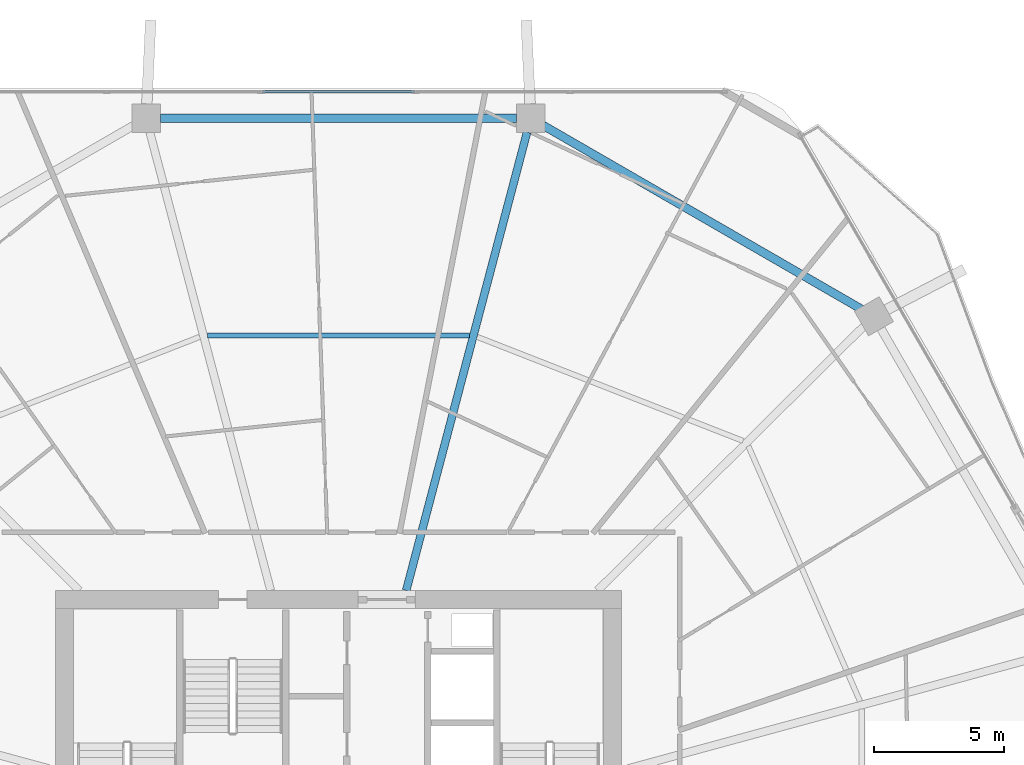
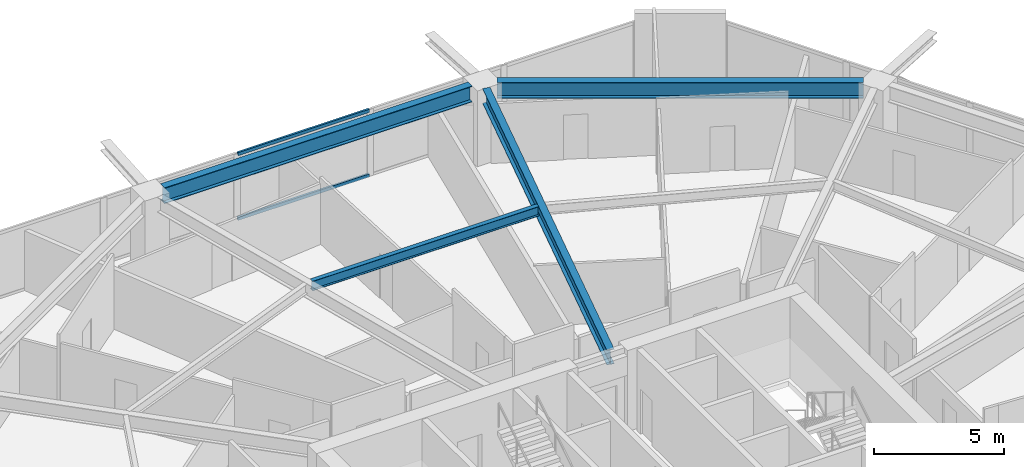
# One storey, part 19 of 32: 4 beams, 2 members, 1 element without a shape of its own.
"""IFC4 building model written with IfcOpenShell, lengths in metres."""

from ifc_helpers import new_model, si_unit, direction, frame, origin, origin_2d, place, context, subcontext, project, spatial, hollow_rectangle, i_section, extrude, material, material_profile, profile_set, type_object, element, aggregate, save


model = new_model("IFC4")

# Units and contexts
model_context = context("Model", 3, precision=1e-05, world=origin(), true_north=direction((0.0, 1.0)))
body_context = subcontext(model_context, "Body", "Model", "MODEL_VIEW")
ifc_project = project(units=[si_unit("LENGTHUNIT", "METRE"), si_unit("AREAUNIT", "SQUARE_METRE"), si_unit("VOLUMEUNIT", "CUBIC_METRE"), si_unit("PLANEANGLEUNIT", "RADIAN"), si_unit("MASSUNIT", "GRAM", prefix="KILO")], contexts=[model_context])

# Site, building, storey
site_placement = place(None, origin())
site = spatial("IfcSite", under=ifc_project, at=site_placement, CompositionType="ELEMENT")
building_placement = place(site_placement, origin())
building = spatial("IfcBuilding", under=site, at=building_placement, Name="Zuhravey Tower", CompositionType="ELEMENT")
storey_placement = place(building_placement, frame((0.0, 0.0, 111.39990234375)))
storey = spatial("IfcBuildingStorey", under=building, at=storey_placement, Name="L27", CompositionType="ELEMENT", Elevation=111.39990234375)

# Curtain wall, members
ifc_material_1 = material(Name="Thermally broken anodised aluminium", Category="aluminium")
curtain_wall_type = type_object("IfcCurtainWallType", Name="Zone 1-2 Residential Curtain Wall CW3", PredefinedType="NOTDEFINED", material=ifc_material_1)
curtain_wall_placement = place(storey_placement, origin())
curtain_wall = element("IfcCurtainWall", 1, at=curtain_wall_placement, inside=storey, type_object=curtain_wall_type, Name="L27 CW3 CW-L27-F2-1", PredefinedType="NOTDEFINED")
ifc_material_2 = material(Name="Anodised aluminium", Category="aluminium")
ifc_material_profile_1 = material_profile(ifc_material_2, hollow_rectangle(XDim=0.090087890625, YDim=0.14990234375, WallThickness=0.0048828125, at=origin_2d()), Name="ALU-RHS-90x150x5")
ifc_profile_set_1 = profile_set([ifc_material_profile_1], Name="Anodised aluminium")
member_type = type_object("IfcMemberType", Name="Curtain-Wall Transom 90x150", PredefinedType="USERDEFINED", material=ifc_profile_set_1)
member_1_placement = place(storey_placement, frame((33.085205078125, 60.95849609375, 0.045166015625), z_axis=(1.0, 0.0, 0.0), x_axis=(0.0, 1.0, 0.0)))
member_1 = element("IfcMember", 2, at=member_1_placement, type_object=member_type, Name="CW3 transom 3.1", ObjectType="TRANSOM", PredefinedType="USERDEFINED", context=body_context, shape_type="SweptSolid", body=[
    extrude(hollow_rectangle(XDim=0.090087890625, YDim=0.14990234375, WallThickness=0.0048828125, at=origin_2d()), origin(), (0.0, 0.0, 1.0), 5.82958984375),
])
member_2_placement = place(storey_placement, frame((33.085205078125, 60.95849609375, 3.0771484375), z_axis=(1.0, 0.0, 0.0), x_axis=(0.0, 1.0, 0.0)))
member_2 = element("IfcMember", 3, at=member_2_placement, type_object=member_type, Name="CW3 transom 3.2", ObjectType="TRANSOM", PredefinedType="USERDEFINED", context=body_context, shape_type="SweptSolid", body=[
    extrude(hollow_rectangle(XDim=0.090087890625, YDim=0.14990234375, WallThickness=0.0048828125, at=origin_2d()), origin(), (0.0, 0.0, 1.0), 5.82958984375),
])
aggregate(curtain_wall, [member_1, member_2])

# Beams
ifc_material_3 = material(Name="Steel SM355", Category="steel")
ifc_material_profile_2 = material_profile(ifc_material_3, i_section(OverallWidth=0.320068359375, OverallDepth=0.75, WebThickness=0.013916015625, FlangeThickness=0.02490234375, at=origin_2d()), Name="H-750x320x14x25")
ifc_profile_set_2 = profile_set([ifc_material_profile_2], Name="Steel SM355")
beam_type_1 = type_object("IfcBeamType", Name="Perimeter Ring Beam H750x320", PredefinedType="BEAM", material=ifc_profile_set_2)
beam_1_placement = place(storey_placement, frame((56.0400390625, 52.63330078125, 3.175048828125), z_axis=(-0.866017786538, 0.500013193225, 0.0), x_axis=(-0.500013193225, -0.866017786538, 0.0)))
element("IfcBeam", 4, at=beam_1_placement, inside=storey, type_object=beam_type_1, Name="L27 PB1 BM-L27-PB-02", PredefinedType="BEAM", context=body_context, shape_type="SweptSolid", body=[
    extrude(i_section(OverallWidth=0.320068359375, OverallDepth=0.75, WebThickness=0.013916015625, FlangeThickness=0.02490234375, at=origin_2d()), origin(), (0.0, 0.0, 1.0), 14.0771484375),
])
beam_2_placement = place(storey_placement, frame((42.81689453125, 59.948486328125, 3.175048828125), z_axis=(-1.0, 0.0, 0.0), x_axis=(0.0, -1.0, 0.0)))
element("IfcBeam", 5, at=beam_2_placement, inside=storey, type_object=beam_type_1, Name="L27 PB1 BM-L27-PB-03", PredefinedType="BEAM", context=body_context, shape_type="SweptSolid", body=[
    extrude(i_section(OverallWidth=0.320068359375, OverallDepth=0.75, WebThickness=0.013916015625, FlangeThickness=0.02490234375, at=origin_2d()), origin(), (0.0, 0.0, 1.0), 13.6337890625),
])
ifc_material_profile_3 = material_profile(ifc_material_3, i_section(OverallWidth=0.300048828125, OverallDepth=0.699951171875, WebThickness=0.012939453125, FlangeThickness=0.02392578125, at=origin_2d()), Name="H-700x300x13x24")
ifc_profile_set_3 = profile_set([ifc_material_profile_3], Name="Steel SM355")
beam_type_2 = type_object("IfcBeamType", Name="Radial Primary Girder H700x300", PredefinedType="BEAM", material=ifc_profile_set_3)
beam_3_placement = place(storey_placement, frame((38.59814453125, 41.85302734375, 3.2001953125), z_axis=(0.25498755891, 0.966944333869, 0.0), x_axis=(-0.966944333869, 0.25498755891, 0.0)))
element("IfcBeam", 6, at=beam_3_placement, inside=storey, type_object=beam_type_2, Name="L27 RG1 BM-L27-RAD-03", PredefinedType="BEAM", context=body_context, shape_type="SweptSolid", body=[
    extrude(i_section(OverallWidth=0.300048828125, OverallDepth=0.699951171875, WebThickness=0.012939453125, FlangeThickness=0.02392578125, at=origin_2d()), origin(), (0.0, 0.0, 1.0), 18.1611328125),
])
ifc_material_profile_4 = material_profile(ifc_material_3, i_section(OverallWidth=0.199951171875, OverallDepth=0.449951171875, WebThickness=0.009033203125, FlangeThickness=0.013916015625, at=origin_2d()), Name="H-450x200x9x14")
ifc_profile_set_4 = profile_set([ifc_material_profile_4], Name="Steel SM355")
beam_type_3 = type_object("IfcBeamType", Name="Secondary Floor Joist H450x200", PredefinedType="JOIST", material=ifc_profile_set_4)
beam_4_placement = place(storey_placement, frame((41.02099609375, 51.62451171875, 3.3251953125), z_axis=(-1.0, 0.0, 0.0), x_axis=(0.0, -1.0, 0.0)))
element("IfcBeam", 7, at=beam_4_placement, inside=storey, type_object=beam_type_3, Name="L27 SJ1 BM-L27-SJ-03-1", PredefinedType="JOIST", context=body_context, shape_type="SweptSolid", body=[
    extrude(i_section(OverallWidth=0.199951171875, OverallDepth=0.449951171875, WebThickness=0.009033203125, FlangeThickness=0.013916015625, at=origin_2d()), origin(), (0.0, 0.0, 1.0), 10.0419921875),
])

save(model, "model.ifc")
